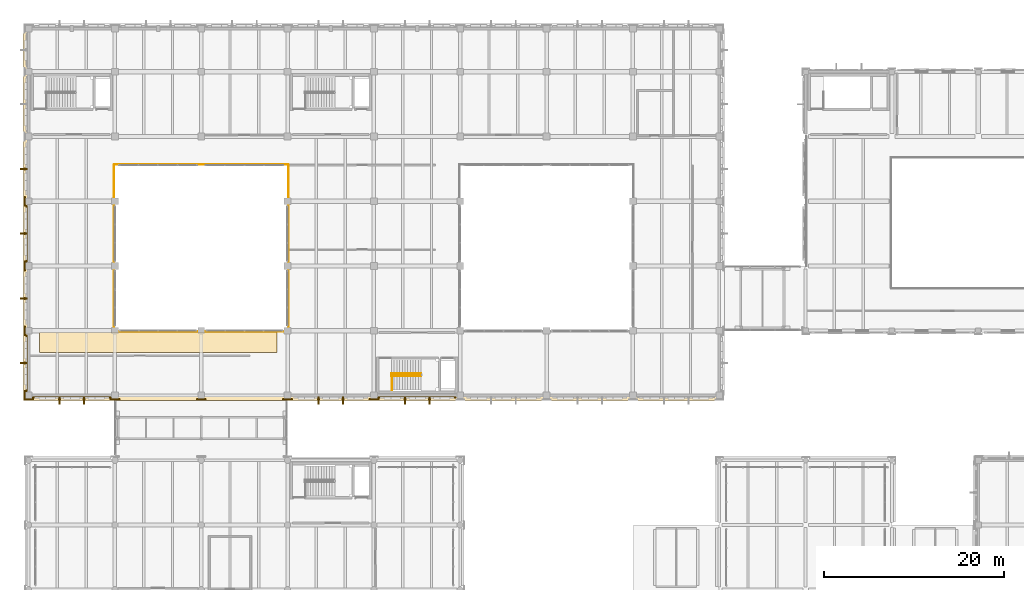
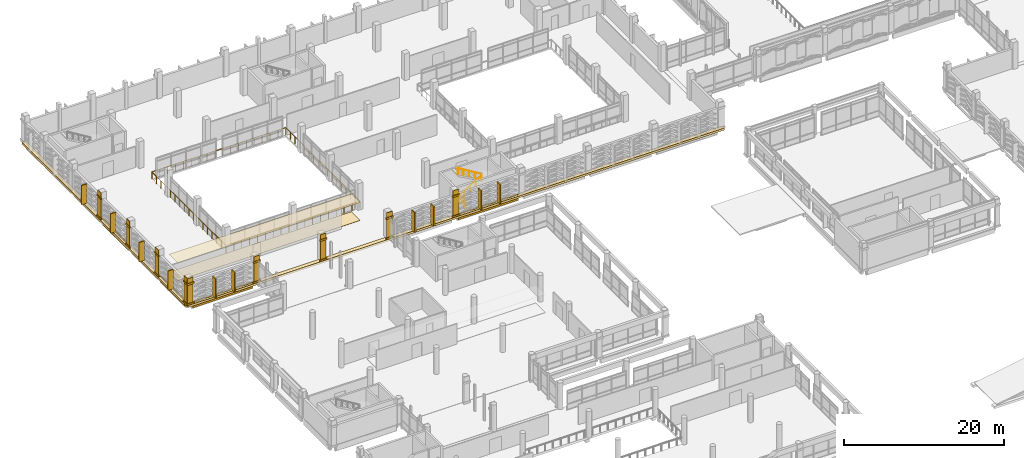
# One storey, part 169 of 180: 45 coverings, 5 railings.
"""IFC4 building model written with IfcOpenShell, lengths in metres."""

from ifc_helpers import new_model, si_unit, direction, frame, origin, origin_2d, place, context, subcontext, project, spatial, polyline, rectangle, circle, outline, extrude, material, layer, layer_set, type_object, element, save


model = new_model("IFC4")

# Units and contexts
model_context = context("Model", 3, precision=1e-05, world=origin(), true_north=direction((0.0, 1.0)))
body_context = subcontext(model_context, "Body", "Model", "MODEL_VIEW")
ifc_project = project(units=[si_unit("LENGTHUNIT", "METRE"), si_unit("AREAUNIT", "SQUARE_METRE"), si_unit("VOLUMEUNIT", "CUBIC_METRE"), si_unit("PLANEANGLEUNIT", "RADIAN"), si_unit("MASSUNIT", "GRAM", prefix="KILO")], contexts=[model_context])

# Site, building, storey
site_placement = place(None, origin())
site = spatial("IfcSite", under=ifc_project, at=site_placement, CompositionType="ELEMENT")
building_placement = place(site_placement, origin())
building = spatial("IfcBuilding", under=site, at=building_placement, Name="Asteropetra Specialist Clinic", CompositionType="ELEMENT")
storey_placement = place(building_placement, frame((0.0, 0.0, 4.419921875)))
storey = spatial("IfcBuildingStorey", under=building, at=storey_placement, Name="L01", CompositionType="ELEMENT", Elevation=4.419921875)

# Coverings
ifc_material_1 = material(Name="Chevron terracotta deep", Category="masonry")
ifc_layer_1 = layer(ifc_material_1, 0.1201171875)
ifc_layer_set_1 = layer_set([ifc_layer_1], Name="Chevron terracotta deep")
covering_type_1 = type_object("IfcCoveringType", Name="CLD-TER-DEEP", PredefinedType="CLADDING", material=ifc_layer_set_1)
for number, where, z_axis, x_axis, name in (
    (1, (4.800048828125, 69.39990234375, -0.7998046875), (0.0, 0.0, 1.0), (1.0, 0.0, 0.0), "Chevron Spandrel Band CV-1408"),
    (2, (43.199951171875, 69.39990234375, -0.7998046875), (0.0, 0.0, 1.0), (1.0, 0.0, 0.0), "Chevron Spandrel Band CV-1413"),
):
    element("IfcCovering", number, at=place(storey_placement, frame(where, z_axis=z_axis, x_axis=x_axis)), inside=storey, type_object=covering_type_1, Name=name, PredefinedType="CLADDING", context=body_context, shape_type="SweptSolid", body=[
        extrude(rectangle(XDim=8.64990234375, YDim=0.1201171875, at=origin_2d()), origin(), (0.0, 0.0, 1.0), 0.8798828125),
    ])
for number, where, z_axis, x_axis, name in (
    (3, (-0.199951171875, 73.199951171875, -0.7998046875), (0.0, 0.0, 1.0), (1.0, 0.0, 0.0), "Chevron Spandrel Band CV-1418"),
    (4, (-0.199951171875, 87.60009765625, -0.7998046875), (0.0, 0.0, 1.0), (1.0, 0.0, 0.0), "Chevron Spandrel Band CV-1420"),
):
    element("IfcCovering", number, at=place(storey_placement, frame(where, z_axis=z_axis, x_axis=x_axis)), inside=storey, type_object=covering_type_1, Name=name, PredefinedType="CLADDING", context=body_context, shape_type="SweptSolid", body=[
        extrude(rectangle(XDim=0.1201171875, YDim=6.25, at=origin_2d()), origin(), (0.0, 0.0, 1.0), 0.8798828125),
    ])
ifc_material_2 = material(Name="Hygienic acoustic ceiling tile")
ifc_layer_2 = layer(ifc_material_2, 0.02490234375)
ifc_layer_set_2 = layer_set([ifc_layer_2], Name="Hygienic acoustic ceiling tile")
covering_type_2 = type_object("IfcCoveringType", Name="CLG-ACOUSTIC", PredefinedType="CEILING", material=ifc_layer_set_2)
covering_1_placement = place(storey_placement, frame((0.0, 0.0, 2.72998046875)))
element("IfcCovering", 5, at=covering_1_placement, inside=storey, type_object=covering_type_2, Name="Acoustic Ceiling CLG-L01-V4", PredefinedType="CEILING", context=body_context, shape_type="SweptSolid", body=[
    extrude(outline(polyline([(1.199951171875, 74.39990234375), (27.60009765625, 74.39990234375), (27.60009765625, 76.60009765625), (1.199951171875, 76.60009765625), (1.199951171875, 74.39990234375)])), origin(), (0.0, 0.0, 1.0), 0.025146484375),
])
ifc_material_3 = material(Name="Pentelic marble ashlar", Category="masonry")
ifc_layer_3 = layer(ifc_material_3, 0.159912109375)
ifc_layer_set_3 = layer_set([ifc_layer_3], Name="Pentelic marble ashlar")
covering_type_3 = type_object("IfcCoveringType", Name="CRN-ENTAB-600", PredefinedType="MOLDING", material=ifc_layer_set_3)
covering_2_placement = place(storey_placement, frame((0.0, 69.193115234375, 0.02001953125), z_axis=(0.0, 0.0, 1.0), x_axis=(1.0, 0.0, 0.0)))
element("IfcCovering", 6, at=covering_2_placement, inside=storey, type_object=covering_type_3, Name="Neoclassical Pilaster Facing CM-0553", PredefinedType="MOLDING", context=body_context, shape_type="SweptSolid", body=[
    extrude(rectangle(XDim=0.830078125, YDim=0.080078125, at=origin_2d()), origin(), (0.0, 0.0, 1.0), 4.0400390625),
])
for number, where, z_axis, x_axis, name in (
    (7, (0.0, 69.153076171875, 0.01025390625), (0.0, 0.0, 1.0), (1.0, 0.0, 0.0), "Doric Base CC-0554"),
    (8, (0.0, 69.153076171875, 3.08984375), (0.0, 0.0, 1.0), (1.0, 0.0, 0.0), "Doric Capital CC-0555"),
):
    element("IfcCovering", number, at=place(storey_placement, frame(where, z_axis=z_axis, x_axis=x_axis)), inside=storey, type_object=covering_type_3, Name=name, PredefinedType="MOLDING", context=body_context, shape_type="SweptSolid", body=[
        extrude(rectangle(XDim=1.030029296875, YDim=0.159912109375, at=origin_2d()), origin(), (0.0, 0.0, 1.0), 0.260009765625),
    ])
covering_3_placement = place(storey_placement, frame((-0.406982421875, 69.60009765625, 0.02001953125), z_axis=(0.0, 0.0, 1.0), x_axis=(1.0, 0.0, 0.0)))
element("IfcCovering", 9, at=covering_3_placement, inside=storey, type_object=covering_type_3, Name="Neoclassical Pilaster Facing CM-0556", PredefinedType="MOLDING", context=body_context, shape_type="SweptSolid", body=[
    extrude(rectangle(XDim=0.080078125, YDim=0.830078125, at=origin_2d()), origin(), (0.0, 0.0, 1.0), 4.0400390625),
])
for number, where, z_axis, x_axis, name in (
    (10, (-0.447021484375, 69.60009765625, 0.01025390625), (0.0, 0.0, 1.0), (1.0, 0.0, 0.0), "Doric Base CC-0557"),
    (11, (-0.447021484375, 69.60009765625, 3.08984375), (0.0, 0.0, 1.0), (1.0, 0.0, 0.0), "Doric Capital CC-0558"),
):
    element("IfcCovering", number, at=place(storey_placement, frame(where, z_axis=z_axis, x_axis=x_axis)), inside=storey, type_object=covering_type_3, Name=name, PredefinedType="MOLDING", context=body_context, shape_type="SweptSolid", body=[
        extrude(rectangle(XDim=0.159912109375, YDim=1.030029296875, at=origin_2d()), origin(), (0.0, 0.0, 1.0), 0.260009765625),
    ])
covering_4_placement = place(storey_placement, frame((-0.406982421875, 76.800048828125, 0.02001953125), z_axis=(0.0, 0.0, 1.0), x_axis=(1.0, 0.0, 0.0)))
element("IfcCovering", 12, at=covering_4_placement, inside=storey, type_object=covering_type_3, Name="Neoclassical Pilaster Facing CM-0559", PredefinedType="MOLDING", context=body_context, shape_type="SweptSolid", body=[
    extrude(rectangle(XDim=0.080078125, YDim=0.830078125, at=origin_2d()), origin(), (0.0, 0.0, 1.0), 4.0400390625),
])
for number, where, z_axis, x_axis, name in (
    (13, (-0.447021484375, 76.800048828125, 0.01025390625), (0.0, 0.0, 1.0), (1.0, 0.0, 0.0), "Doric Base CC-0560"),
    (14, (-0.447021484375, 76.800048828125, 3.08984375), (0.0, 0.0, 1.0), (1.0, 0.0, 0.0), "Doric Capital CC-0561"),
):
    element("IfcCovering", number, at=place(storey_placement, frame(where, z_axis=z_axis, x_axis=x_axis)), inside=storey, type_object=covering_type_3, Name=name, PredefinedType="MOLDING", context=body_context, shape_type="SweptSolid", body=[
        extrude(rectangle(XDim=0.159912109375, YDim=1.030029296875, at=origin_2d()), origin(), (0.0, 0.0, 1.0), 0.260009765625),
    ])
covering_5_placement = place(storey_placement, frame((-0.406982421875, 84.0, 0.02001953125), z_axis=(0.0, 0.0, 1.0), x_axis=(1.0, 0.0, 0.0)))
element("IfcCovering", 15, at=covering_5_placement, inside=storey, type_object=covering_type_3, Name="Neoclassical Pilaster Facing CM-0562", PredefinedType="MOLDING", context=body_context, shape_type="SweptSolid", body=[
    extrude(rectangle(XDim=0.080078125, YDim=0.830078125, at=origin_2d()), origin(), (0.0, 0.0, 1.0), 4.0400390625),
])
for number, where, z_axis, x_axis, name in (
    (16, (-0.447021484375, 84.0, 0.01025390625), (0.0, 0.0, 1.0), (1.0, 0.0, 0.0), "Doric Base CC-0563"),
    (17, (-0.447021484375, 84.0, 3.08984375), (0.0, 0.0, 1.0), (1.0, 0.0, 0.0), "Doric Capital CC-0564"),
):
    element("IfcCovering", number, at=place(storey_placement, frame(where, z_axis=z_axis, x_axis=x_axis)), inside=storey, type_object=covering_type_3, Name=name, PredefinedType="MOLDING", context=body_context, shape_type="SweptSolid", body=[
        extrude(rectangle(XDim=0.159912109375, YDim=1.030029296875, at=origin_2d()), origin(), (0.0, 0.0, 1.0), 0.260009765625),
    ])
covering_6_placement = place(storey_placement, frame((-0.406982421875, 91.199951171875, 0.02001953125), z_axis=(0.0, 0.0, 1.0), x_axis=(1.0, 0.0, 0.0)))
element("IfcCovering", 18, at=covering_6_placement, inside=storey, type_object=covering_type_3, Name="Neoclassical Pilaster Facing CM-0565", PredefinedType="MOLDING", context=body_context, shape_type="SweptSolid", body=[
    extrude(rectangle(XDim=0.080078125, YDim=0.830078125, at=origin_2d()), origin(), (0.0, 0.0, 1.0), 4.0400390625),
])
for number, where, z_axis, x_axis, name in (
    (19, (-0.447021484375, 91.199951171875, 0.01025390625), (0.0, 0.0, 1.0), (1.0, 0.0, 0.0), "Doric Base CC-0566"),
    (20, (-0.447021484375, 91.199951171875, 3.08984375), (0.0, 0.0, 1.0), (1.0, 0.0, 0.0), "Doric Capital CC-0567"),
):
    element("IfcCovering", number, at=place(storey_placement, frame(where, z_axis=z_axis, x_axis=x_axis)), inside=storey, type_object=covering_type_3, Name=name, PredefinedType="MOLDING", context=body_context, shape_type="SweptSolid", body=[
        extrude(rectangle(XDim=0.159912109375, YDim=1.030029296875, at=origin_2d()), origin(), (0.0, 0.0, 1.0), 0.260009765625),
    ])
covering_7_placement = place(storey_placement, frame((9.60009765625, 69.193115234375, 0.02001953125), z_axis=(0.0, 0.0, 1.0), x_axis=(1.0, 0.0, 0.0)))
element("IfcCovering", 21, at=covering_7_placement, inside=storey, type_object=covering_type_3, Name="Neoclassical Pilaster Facing CM-0580", PredefinedType="MOLDING", context=body_context, shape_type="SweptSolid", body=[
    extrude(rectangle(XDim=0.830078125, YDim=0.080078125, at=origin_2d()), origin(), (0.0, 0.0, 1.0), 4.0400390625),
])
for number, where, z_axis, x_axis, name in (
    (22, (9.60009765625, 69.153076171875, 0.01025390625), (0.0, 0.0, 1.0), (1.0, 0.0, 0.0), "Doric Base CC-0581"),
    (23, (9.60009765625, 69.153076171875, 3.08984375), (0.0, 0.0, 1.0), (1.0, 0.0, 0.0), "Doric Capital CC-0582"),
):
    element("IfcCovering", number, at=place(storey_placement, frame(where, z_axis=z_axis, x_axis=x_axis)), inside=storey, type_object=covering_type_3, Name=name, PredefinedType="MOLDING", context=body_context, shape_type="SweptSolid", body=[
        extrude(rectangle(XDim=1.030029296875, YDim=0.159912109375, at=origin_2d()), origin(), (0.0, 0.0, 1.0), 0.260009765625),
    ])
covering_8_placement = place(storey_placement, frame((19.199951171875, 69.193115234375, 0.02001953125), z_axis=(0.0, 0.0, 1.0), x_axis=(1.0, 0.0, 0.0)))
element("IfcCovering", 24, at=covering_8_placement, inside=storey, type_object=covering_type_3, Name="Neoclassical Pilaster Facing CM-0586", PredefinedType="MOLDING", context=body_context, shape_type="SweptSolid", body=[
    extrude(rectangle(XDim=0.830078125, YDim=0.080078125, at=origin_2d()), origin(), (0.0, 0.0, 1.0), 4.0400390625),
])
for number, where, z_axis, x_axis, name in (
    (25, (19.199951171875, 69.153076171875, 0.01025390625), (0.0, 0.0, 1.0), (1.0, 0.0, 0.0), "Doric Base CC-0587"),
    (26, (19.199951171875, 69.153076171875, 3.08984375), (0.0, 0.0, 1.0), (1.0, 0.0, 0.0), "Doric Capital CC-0588"),
):
    element("IfcCovering", number, at=place(storey_placement, frame(where, z_axis=z_axis, x_axis=x_axis)), inside=storey, type_object=covering_type_3, Name=name, PredefinedType="MOLDING", context=body_context, shape_type="SweptSolid", body=[
        extrude(rectangle(XDim=1.030029296875, YDim=0.159912109375, at=origin_2d()), origin(), (0.0, 0.0, 1.0), 0.260009765625),
    ])
covering_9_placement = place(storey_placement, frame((28.800048828125, 69.193115234375, 0.02001953125), z_axis=(0.0, 0.0, 1.0), x_axis=(1.0, 0.0, 0.0)))
element("IfcCovering", 27, at=covering_9_placement, inside=storey, type_object=covering_type_3, Name="Neoclassical Pilaster Facing CM-0592", PredefinedType="MOLDING", context=body_context, shape_type="SweptSolid", body=[
    extrude(rectangle(XDim=0.830078125, YDim=0.080078125, at=origin_2d()), origin(), (0.0, 0.0, 1.0), 4.0400390625),
])
for number, where, z_axis, x_axis, name in (
    (28, (28.800048828125, 69.153076171875, 0.01025390625), (0.0, 0.0, 1.0), (1.0, 0.0, 0.0), "Doric Base CC-0593"),
    (29, (28.800048828125, 69.153076171875, 3.08984375), (0.0, 0.0, 1.0), (1.0, 0.0, 0.0), "Doric Capital CC-0594"),
):
    element("IfcCovering", number, at=place(storey_placement, frame(where, z_axis=z_axis, x_axis=x_axis)), inside=storey, type_object=covering_type_3, Name=name, PredefinedType="MOLDING", context=body_context, shape_type="SweptSolid", body=[
        extrude(rectangle(XDim=1.030029296875, YDim=0.159912109375, at=origin_2d()), origin(), (0.0, 0.0, 1.0), 0.260009765625),
    ])
covering_10_placement = place(storey_placement, frame((38.39990234375, 69.193115234375, 0.02001953125), z_axis=(0.0, 0.0, 1.0), x_axis=(1.0, 0.0, 0.0)))
element("IfcCovering", 30, at=covering_10_placement, inside=storey, type_object=covering_type_3, Name="Neoclassical Pilaster Facing CM-0598", PredefinedType="MOLDING", context=body_context, shape_type="SweptSolid", body=[
    extrude(rectangle(XDim=0.830078125, YDim=0.080078125, at=origin_2d()), origin(), (0.0, 0.0, 1.0), 4.0400390625),
])
for number, where, z_axis, x_axis, name in (
    (31, (38.39990234375, 69.153076171875, 0.01025390625), (0.0, 0.0, 1.0), (1.0, 0.0, 0.0), "Doric Base CC-0599"),
    (32, (38.39990234375, 69.153076171875, 3.08984375), (0.0, 0.0, 1.0), (1.0, 0.0, 0.0), "Doric Capital CC-0600"),
):
    element("IfcCovering", number, at=place(storey_placement, frame(where, z_axis=z_axis, x_axis=x_axis)), inside=storey, type_object=covering_type_3, Name=name, PredefinedType="MOLDING", context=body_context, shape_type="SweptSolid", body=[
        extrude(rectangle(XDim=1.030029296875, YDim=0.159912109375, at=origin_2d()), origin(), (0.0, 0.0, 1.0), 0.260009765625),
    ])
covering_11_placement = place(storey_placement, frame((38.39990234375, 69.320068359375, -0.27978515625), z_axis=(0.0, 0.0, 1.0), x_axis=(1.0, 0.0, 0.0)))
element("IfcCovering", 33, at=covering_11_placement, inside=storey, type_object=covering_type_3, Name="Classical Entablature Cornice EC-009", PredefinedType="MOLDING", context=body_context, shape_type="SweptSolid", body=[
    extrude(rectangle(XDim=77.60009765625, YDim=0.56005859375, at=origin_2d()), origin(), (0.0, 0.0, 1.0), 0.320068359375),
])
covering_12_placement = place(storey_placement, frame((-0.280029296875, 90.0, -0.27978515625), z_axis=(0.0, 0.0, 1.0), x_axis=(1.0, 0.0, 0.0)))
element("IfcCovering", 34, at=covering_12_placement, inside=storey, type_object=covering_type_3, Name="Classical Entablature Cornice EC-011", PredefinedType="MOLDING", context=body_context, shape_type="SweptSolid", body=[
    extrude(rectangle(XDim=0.56005859375, YDim=40.800048828125, at=origin_2d()), origin(), (0.0, 0.0, 1.0), 0.320068359375),
])
ifc_material_4 = material(Name="Pentelic marble solar fin", Category="masonry")
ifc_layer_4 = layer(ifc_material_4, 0.080078125)
ifc_layer_set_4 = layer_set([ifc_layer_4], Name="Pentelic marble solar fin")
covering_type_4 = type_object("IfcCoveringType", Name="FIN-SOLAR-800", PredefinedType="MOLDING", material=ifc_layer_set_4)
for number, where, z_axis, x_axis, name in (
    (35, (3.431640625, 69.044921875, 0.070068359375), (0.0, 0.0, 1.0), (1.0, 0.0, 0.0), "Solar Shading Fin FN-0008"),
    (36, (6.168212890625, 69.044921875, 0.070068359375), (0.0, 0.0, 1.0), (1.0, 0.0, 0.0), "Solar Shading Fin FN-0009"),
    (37, (32.231689453125, 69.044921875, 0.070068359375), (0.0, 0.0, 1.0), (1.0, 0.0, 0.0), "Solar Shading Fin FN-0016"),
    (38, (34.96826171875, 69.044921875, 0.070068359375), (0.0, 0.0, 1.0), (1.0, 0.0, 0.0), "Solar Shading Fin FN-0017"),
    (39, (41.831787109375, 69.044921875, 0.070068359375), (0.0, 0.0, 1.0), (1.0, 0.0, 0.0), "Solar Shading Fin FN-0020"),
    (40, (44.568359375, 69.044921875, 0.070068359375), (0.0, 0.0, 1.0), (1.0, 0.0, 0.0), "Solar Shading Fin FN-0021"),
):
    element("IfcCovering", number, at=place(storey_placement, frame(where, z_axis=z_axis, x_axis=x_axis)), inside=storey, type_object=covering_type_4, Name=name, PredefinedType="MOLDING", context=body_context, shape_type="SweptSolid", body=[
        extrude(rectangle(XDim=0.159912109375, YDim=0.800048828125, at=origin_2d()), origin(), (0.0, 0.0, 1.0), 2.93994140625),
    ])
for number, where, z_axis, x_axis, name in (
    (41, (-0.554931640625, 73.199951171875, 0.070068359375), (0.0, 0.0, 1.0), (1.0, 0.0, 0.0), "Solar Shading Fin FN-0036"),
    (42, (-0.554931640625, 80.39990234375, 0.070068359375), (0.0, 0.0, 1.0), (1.0, 0.0, 0.0), "Solar Shading Fin FN-0038"),
    (43, (-0.554931640625, 87.60009765625, 0.070068359375), (0.0, 0.0, 1.0), (1.0, 0.0, 0.0), "Solar Shading Fin FN-0039"),
    (44, (-0.554931640625, 94.800048828125, 0.070068359375), (0.0, 0.0, 1.0), (1.0, 0.0, 0.0), "Solar Shading Fin FN-0041"),
):
    element("IfcCovering", number, at=place(storey_placement, frame(where, z_axis=z_axis, x_axis=x_axis)), inside=storey, type_object=covering_type_4, Name=name, PredefinedType="MOLDING", context=body_context, shape_type="SweptSolid", body=[
        extrude(rectangle(XDim=0.800048828125, YDim=0.159912109375, at=origin_2d()), origin(), (0.0, 0.0, 1.0), 2.93994140625),
    ])
ifc_material_5 = material(Name="Attic marble terrazzo flooring", Category="masonry")
ifc_layer_5 = layer(ifc_material_5, 0.02001953125)
ifc_layer_set_5 = layer_set([ifc_layer_5], Name="Attic marble terrazzo flooring")
covering_type_5 = type_object("IfcCoveringType", Name="FLR-TERRAZZO", PredefinedType="FLOORING", material=ifc_layer_set_5)
covering_13_placement = place(storey_placement, origin())
element("IfcCovering", 45, at=covering_13_placement, inside=storey, type_object=covering_type_5, Name="Terrazzo Flooring CLG-L01-V4", PredefinedType="FLOORING", context=body_context, shape_type="SweptSolid", body=[
    extrude(outline(polyline([(1.199951171875, 74.39990234375), (27.60009765625, 74.39990234375), (27.60009765625, 76.60009765625), (1.199951171875, 76.60009765625), (1.199951171875, 74.39990234375)])), origin(), (0.0, 0.0, 1.0), 0.02001953125),
])

# Railings
ifc_material_6 = material(Name="Powder-coated Steel S355 guardrail", Category="steel")
railing_type_1 = type_object("IfcRailingType", Name="GRD-EXT-1120", PredefinedType="GUARDRAIL", material=ifc_material_6)
railing_1_placement = place(storey_placement, frame((9.52001953125, 76.719970703125, 0.0)))
element("IfcRailing", 46, at=railing_1_placement, inside=storey, type_object=railing_type_1, Name="Perimeter Guard GRD-CT-L01-01A", PredefinedType="GUARDRAIL", context=body_context, shape_type="SweptSolid", body=[
    extrude(circle(Radius=0.02392578125, at=origin_2d()), frame((0.0, 0.0, 1.09619140625), z_axis=(1.0, 0.0, 0.0), x_axis=(0.0, 1.0, 0.0)), (0.0, 0.0, 1.0), 19.35986328125),
    extrude(circle(Radius=0.02392578125, at=origin_2d()), frame((19.35986328125, 0.0, 1.09619140625), z_axis=(0.0, 1.0, 0.0), x_axis=(-1.0, 0.0, 0.0)), (0.0, 0.0, 1.0), 18.56005859375),
    extrude(circle(Radius=0.02099609375, at=origin_2d()), origin(), (0.0, 0.0, 1.0), 1.072021484375),
    extrude(circle(Radius=0.02099609375, at=origin_2d()), frame((1.138916015625, 0.0, 0.0)), (0.0, 0.0, 1.0), 1.072021484375),
    extrude(circle(Radius=0.02099609375, at=origin_2d()), frame((2.277587890625, 0.0, 0.0)), (0.0, 0.0, 1.0), 1.072021484375),
    extrude(circle(Radius=0.02099609375, at=origin_2d()), frame((3.41650390625, 0.0, 0.0)), (0.0, 0.0, 1.0), 1.072021484375),
    extrude(circle(Radius=0.02099609375, at=origin_2d()), frame((4.55517578125, 0.0, 0.0)), (0.0, 0.0, 1.0), 1.072021484375),
    extrude(circle(Radius=0.02099609375, at=origin_2d()), frame((5.694091796875, 0.0, 0.0)), (0.0, 0.0, 1.0), 1.072021484375),
    extrude(circle(Radius=0.02099609375, at=origin_2d()), frame((6.8330078125, 0.0, 0.0)), (0.0, 0.0, 1.0), 1.072021484375),
    extrude(circle(Radius=0.02099609375, at=origin_2d()), frame((7.9716796875, 0.0, 0.0)), (0.0, 0.0, 1.0), 1.072021484375),
    extrude(circle(Radius=0.02099609375, at=origin_2d()), frame((9.110595703125, 0.0, 0.0)), (0.0, 0.0, 1.0), 1.072021484375),
    extrude(circle(Radius=0.02099609375, at=origin_2d()), frame((10.249267578125, 0.0, 0.0)), (0.0, 0.0, 1.0), 1.072021484375),
    extrude(circle(Radius=0.02099609375, at=origin_2d()), frame((11.38818359375, 0.0, 0.0)), (0.0, 0.0, 1.0), 1.072021484375),
    extrude(circle(Radius=0.02099609375, at=origin_2d()), frame((12.52685546875, 0.0, 0.0)), (0.0, 0.0, 1.0), 1.072021484375),
    extrude(circle(Radius=0.02099609375, at=origin_2d()), frame((13.665771484375, 0.0, 0.0)), (0.0, 0.0, 1.0), 1.072021484375),
    extrude(circle(Radius=0.02099609375, at=origin_2d()), frame((14.8046875, 0.0, 0.0)), (0.0, 0.0, 1.0), 1.072021484375),
    extrude(circle(Radius=0.02099609375, at=origin_2d()), frame((15.943359375, 0.0, 0.0)), (0.0, 0.0, 1.0), 1.072021484375),
    extrude(circle(Radius=0.02099609375, at=origin_2d()), frame((17.082275390625, 0.0, 0.0)), (0.0, 0.0, 1.0), 1.072021484375),
    extrude(circle(Radius=0.02099609375, at=origin_2d()), frame((18.220947265625, 0.0, 0.0)), (0.0, 0.0, 1.0), 1.072021484375),
    extrude(circle(Radius=0.02099609375, at=origin_2d()), frame((19.35986328125, 0.0, 0.0)), (0.0, 0.0, 1.0), 1.072021484375),
    extrude(circle(Radius=0.02099609375, at=origin_2d()), frame((19.35986328125, 1.159912109375, 0.0)), (0.0, 0.0, 1.0), 1.072021484375),
    extrude(circle(Radius=0.02099609375, at=origin_2d()), frame((19.35986328125, 2.320068359375, 0.0)), (0.0, 0.0, 1.0), 1.072021484375),
    extrude(circle(Radius=0.02099609375, at=origin_2d()), frame((19.35986328125, 3.47998046875, 0.0)), (0.0, 0.0, 1.0), 1.072021484375),
    extrude(circle(Radius=0.02099609375, at=origin_2d()), frame((19.35986328125, 4.64013671875, 0.0)), (0.0, 0.0, 1.0), 1.072021484375),
    extrude(circle(Radius=0.02099609375, at=origin_2d()), frame((19.35986328125, 5.800048828125, 0.0)), (0.0, 0.0, 1.0), 1.072021484375),
    extrude(circle(Radius=0.02099609375, at=origin_2d()), frame((19.35986328125, 6.9599609375, 0.0)), (0.0, 0.0, 1.0), 1.072021484375),
    extrude(circle(Radius=0.02099609375, at=origin_2d()), frame((19.35986328125, 8.1201171875, 0.0)), (0.0, 0.0, 1.0), 1.072021484375),
    extrude(circle(Radius=0.02099609375, at=origin_2d()), frame((19.35986328125, 9.280029296875, 0.0)), (0.0, 0.0, 1.0), 1.072021484375),
    extrude(circle(Radius=0.02099609375, at=origin_2d()), frame((19.35986328125, 10.43994140625, 0.0)), (0.0, 0.0, 1.0), 1.072021484375),
    extrude(circle(Radius=0.02099609375, at=origin_2d()), frame((19.35986328125, 11.60009765625, 0.0)), (0.0, 0.0, 1.0), 1.072021484375),
    extrude(circle(Radius=0.02099609375, at=origin_2d()), frame((19.35986328125, 12.760009765625, 0.0)), (0.0, 0.0, 1.0), 1.072021484375),
    extrude(circle(Radius=0.02099609375, at=origin_2d()), frame((19.35986328125, 13.919921875, 0.0)), (0.0, 0.0, 1.0), 1.072021484375),
    extrude(circle(Radius=0.02099609375, at=origin_2d()), frame((19.35986328125, 15.080078125, 0.0)), (0.0, 0.0, 1.0), 1.072021484375),
    extrude(circle(Radius=0.02099609375, at=origin_2d()), frame((19.35986328125, 16.239990234375, 0.0)), (0.0, 0.0, 1.0), 1.072021484375),
    extrude(circle(Radius=0.02099609375, at=origin_2d()), frame((19.35986328125, 17.400146484375, 0.0)), (0.0, 0.0, 1.0), 1.072021484375),
    extrude(circle(Radius=0.02099609375, at=origin_2d()), frame((19.35986328125, 18.56005859375, 0.0)), (0.0, 0.0, 1.0), 1.072021484375),
])
railing_2_placement = place(storey_placement, frame((28.8798828125, 95.280029296875, 0.0)))
element("IfcRailing", 47, at=railing_2_placement, inside=storey, type_object=railing_type_1, Name="Perimeter Guard GRD-CT-L01-01B", PredefinedType="GUARDRAIL", context=body_context, shape_type="SweptSolid", body=[
    extrude(circle(Radius=0.02392578125, at=origin_2d()), frame((0.0, 0.0, 1.09619140625), z_axis=(-1.0, 0.0, 0.0), x_axis=(0.0, -1.0, 0.0)), (0.0, 0.0, 1.0), 19.35986328125),
    extrude(circle(Radius=0.02392578125, at=origin_2d()), frame((-19.35986328125, 0.0, 1.09619140625), z_axis=(0.0, -1.0, 0.0), x_axis=(1.0, 0.0, 0.0)), (0.0, 0.0, 1.0), 18.56005859375),
    extrude(circle(Radius=0.02099609375, at=origin_2d()), origin(), (0.0, 0.0, 1.0), 1.072021484375),
    extrude(circle(Radius=0.02099609375, at=origin_2d()), frame((-1.138916015625, 0.0, 0.0)), (0.0, 0.0, 1.0), 1.072021484375),
    extrude(circle(Radius=0.02099609375, at=origin_2d()), frame((-2.277587890625, 0.0, 0.0)), (0.0, 0.0, 1.0), 1.072021484375),
    extrude(circle(Radius=0.02099609375, at=origin_2d()), frame((-3.41650390625, 0.0, 0.0)), (0.0, 0.0, 1.0), 1.072021484375),
    extrude(circle(Radius=0.02099609375, at=origin_2d()), frame((-4.55517578125, 0.0, 0.0)), (0.0, 0.0, 1.0), 1.072021484375),
    extrude(circle(Radius=0.02099609375, at=origin_2d()), frame((-5.694091796875, 0.0, 0.0)), (0.0, 0.0, 1.0), 1.072021484375),
    extrude(circle(Radius=0.02099609375, at=origin_2d()), frame((-6.8330078125, 0.0, 0.0)), (0.0, 0.0, 1.0), 1.072021484375),
    extrude(circle(Radius=0.02099609375, at=origin_2d()), frame((-7.9716796875, 0.0, 0.0)), (0.0, 0.0, 1.0), 1.072021484375),
    extrude(circle(Radius=0.02099609375, at=origin_2d()), frame((-9.110595703125, 0.0, 0.0)), (0.0, 0.0, 1.0), 1.072021484375),
    extrude(circle(Radius=0.02099609375, at=origin_2d()), frame((-10.249267578125, 0.0, 0.0)), (0.0, 0.0, 1.0), 1.072021484375),
    extrude(circle(Radius=0.02099609375, at=origin_2d()), frame((-11.38818359375, 0.0, 0.0)), (0.0, 0.0, 1.0), 1.072021484375),
    extrude(circle(Radius=0.02099609375, at=origin_2d()), frame((-12.52685546875, 0.0, 0.0)), (0.0, 0.0, 1.0), 1.072021484375),
    extrude(circle(Radius=0.02099609375, at=origin_2d()), frame((-13.665771484375, 0.0, 0.0)), (0.0, 0.0, 1.0), 1.072021484375),
    extrude(circle(Radius=0.02099609375, at=origin_2d()), frame((-14.8046875, 0.0, 0.0)), (0.0, 0.0, 1.0), 1.072021484375),
    extrude(circle(Radius=0.02099609375, at=origin_2d()), frame((-15.943359375, 0.0, 0.0)), (0.0, 0.0, 1.0), 1.072021484375),
    extrude(circle(Radius=0.02099609375, at=origin_2d()), frame((-17.082275390625, 0.0, 0.0)), (0.0, 0.0, 1.0), 1.072021484375),
    extrude(circle(Radius=0.02099609375, at=origin_2d()), frame((-18.220947265625, 0.0, 0.0)), (0.0, 0.0, 1.0), 1.072021484375),
    extrude(circle(Radius=0.02099609375, at=origin_2d()), frame((-19.35986328125, 0.0, 0.0)), (0.0, 0.0, 1.0), 1.072021484375),
    extrude(circle(Radius=0.02099609375, at=origin_2d()), frame((-19.35986328125, -1.159912109375, 0.0)), (0.0, 0.0, 1.0), 1.072021484375),
    extrude(circle(Radius=0.02099609375, at=origin_2d()), frame((-19.35986328125, -2.320068359375, 0.0)), (0.0, 0.0, 1.0), 1.072021484375),
    extrude(circle(Radius=0.02099609375, at=origin_2d()), frame((-19.35986328125, -3.47998046875, 0.0)), (0.0, 0.0, 1.0), 1.072021484375),
    extrude(circle(Radius=0.02099609375, at=origin_2d()), frame((-19.35986328125, -4.64013671875, 0.0)), (0.0, 0.0, 1.0), 1.072021484375),
    extrude(circle(Radius=0.02099609375, at=origin_2d()), frame((-19.35986328125, -5.800048828125, 0.0)), (0.0, 0.0, 1.0), 1.072021484375),
    extrude(circle(Radius=0.02099609375, at=origin_2d()), frame((-19.35986328125, -6.9599609375, 0.0)), (0.0, 0.0, 1.0), 1.072021484375),
    extrude(circle(Radius=0.02099609375, at=origin_2d()), frame((-19.35986328125, -8.1201171875, 0.0)), (0.0, 0.0, 1.0), 1.072021484375),
    extrude(circle(Radius=0.02099609375, at=origin_2d()), frame((-19.35986328125, -9.280029296875, 0.0)), (0.0, 0.0, 1.0), 1.072021484375),
    extrude(circle(Radius=0.02099609375, at=origin_2d()), frame((-19.35986328125, -10.43994140625, 0.0)), (0.0, 0.0, 1.0), 1.072021484375),
    extrude(circle(Radius=0.02099609375, at=origin_2d()), frame((-19.35986328125, -11.60009765625, 0.0)), (0.0, 0.0, 1.0), 1.072021484375),
    extrude(circle(Radius=0.02099609375, at=origin_2d()), frame((-19.35986328125, -12.760009765625, 0.0)), (0.0, 0.0, 1.0), 1.072021484375),
    extrude(circle(Radius=0.02099609375, at=origin_2d()), frame((-19.35986328125, -13.919921875, 0.0)), (0.0, 0.0, 1.0), 1.072021484375),
    extrude(circle(Radius=0.02099609375, at=origin_2d()), frame((-19.35986328125, -15.080078125, 0.0)), (0.0, 0.0, 1.0), 1.072021484375),
    extrude(circle(Radius=0.02099609375, at=origin_2d()), frame((-19.35986328125, -16.239990234375, 0.0)), (0.0, 0.0, 1.0), 1.072021484375),
    extrude(circle(Radius=0.02099609375, at=origin_2d()), frame((-19.35986328125, -17.400146484375, 0.0)), (0.0, 0.0, 1.0), 1.072021484375),
    extrude(circle(Radius=0.02099609375, at=origin_2d()), frame((-19.35986328125, -18.56005859375, 0.0)), (0.0, 0.0, 1.0), 1.072021484375),
])
ifc_material_7 = material(Name="Steel S355 and laminated glass guard", Category="steel")
railing_type_2 = type_object("IfcRailingType", Name="GRD-INT-1120", PredefinedType="GUARDRAIL", material=ifc_material_7)
railing_3_placement = place(storey_placement, frame((40.39990234375, 70.199951171875, 0.0)))
element("IfcRailing", 48, at=railing_3_placement, inside=storey, type_object=railing_type_2, Name="Stair Well Guard ST03-L00", PredefinedType="GUARDRAIL", context=body_context, shape_type="SweptSolid", body=[
    extrude(circle(Radius=0.02392578125, at=origin_2d()), frame((0.0, 0.0, 1.09619140625), z_axis=(0.0, 1.0, 0.0), x_axis=(-1.0, 0.0, 0.0)), (0.0, 0.0, 1.0), 1.780029296875),
    extrude(circle(Radius=0.02099609375, at=origin_2d()), origin(), (0.0, 0.0, 1.0), 1.072021484375),
    extrude(circle(Radius=0.02099609375, at=origin_2d()), frame((0.0, 0.89013671875, 0.0)), (0.0, 0.0, 1.0), 1.072021484375),
    extrude(circle(Radius=0.02099609375, at=origin_2d()), frame((0.0, 1.780029296875, 0.0)), (0.0, 0.0, 1.0), 1.072021484375),
])
ifc_material_8 = material(Name="Brushed stainless steel handrail", Category="steel")
railing_type_3 = type_object("IfcRailingType", Name="HRL-STAIR-920", PredefinedType="HANDRAIL", material=ifc_material_8)
railing_4_placement = place(storey_placement, frame((40.35009765625, 71.7900390625, 0.0)))
element("IfcRailing", 49, at=railing_4_placement, inside=storey, type_object=railing_type_3, Name="Stair Handrail ST03-L01 F1", PredefinedType="HANDRAIL", context=body_context, shape_type="SweptSolid", body=[
    extrude(circle(Radius=0.02392578125, at=origin_2d()), frame((0.0, 0.0, 0.89599609375), z_axis=(0.850576145773, 0.0, 0.525851899532), x_axis=(0.0, 1.0, 0.0)), (0.0, 0.0, 1.0), 3.87939453125),
    extrude(circle(Radius=0.02099609375, at=origin_2d()), origin(), (0.0, 0.0, 1.0), 0.871826171875),
    extrude(circle(Radius=0.02099609375, at=origin_2d()), frame((0.824951171875, 0.0, 0.510009765625)), (0.0, 0.0, 1.0), 0.871826171875),
    extrude(circle(Radius=0.02099609375, at=origin_2d()), frame((1.64990234375, 0.0, 1.02001953125)), (0.0, 0.0, 1.0), 0.871826171875),
    extrude(circle(Radius=0.02099609375, at=origin_2d()), frame((2.474853515625, 0.0, 1.530029296875)), (0.0, 0.0, 1.0), 0.871826171875),
    extrude(circle(Radius=0.02099609375, at=origin_2d()), frame((3.2998046875, 0.0, 2.0400390625)), (0.0, 0.0, 1.0), 0.871826171875),
])
railing_5_placement = place(storey_placement, frame((43.64990234375, 72.030029296875, 2.0400390625)))
element("IfcRailing", 50, at=railing_5_placement, inside=storey, type_object=railing_type_3, Name="Stair Handrail ST03-L01 F2", PredefinedType="HANDRAIL", context=body_context, shape_type="SweptSolid", body=[
    extrude(circle(Radius=0.02392578125, at=origin_2d()), frame((0.0, 0.0, 0.89599609375), z_axis=(-0.850576145773, 0.0, 0.525851899532), x_axis=(0.0, -1.0, 0.0)), (0.0, 0.0, 1.0), 3.87939453125),
    extrude(circle(Radius=0.02099609375, at=origin_2d()), origin(), (0.0, 0.0, 1.0), 0.871826171875),
    extrude(circle(Radius=0.02099609375, at=origin_2d()), frame((-0.824951171875, 0.0, 0.510009765625)), (0.0, 0.0, 1.0), 0.871826171875),
    extrude(circle(Radius=0.02099609375, at=origin_2d()), frame((-1.64990234375, 0.0, 1.02001953125)), (0.0, 0.0, 1.0), 0.871826171875),
    extrude(circle(Radius=0.02099609375, at=origin_2d()), frame((-2.474853515625, 0.0, 1.530029296875)), (0.0, 0.0, 1.0), 0.871826171875),
    extrude(circle(Radius=0.02099609375, at=origin_2d()), frame((-3.2998046875, 0.0, 2.0400390625)), (0.0, 0.0, 1.0), 0.871826171875),
])

save(model, "model.ifc")
